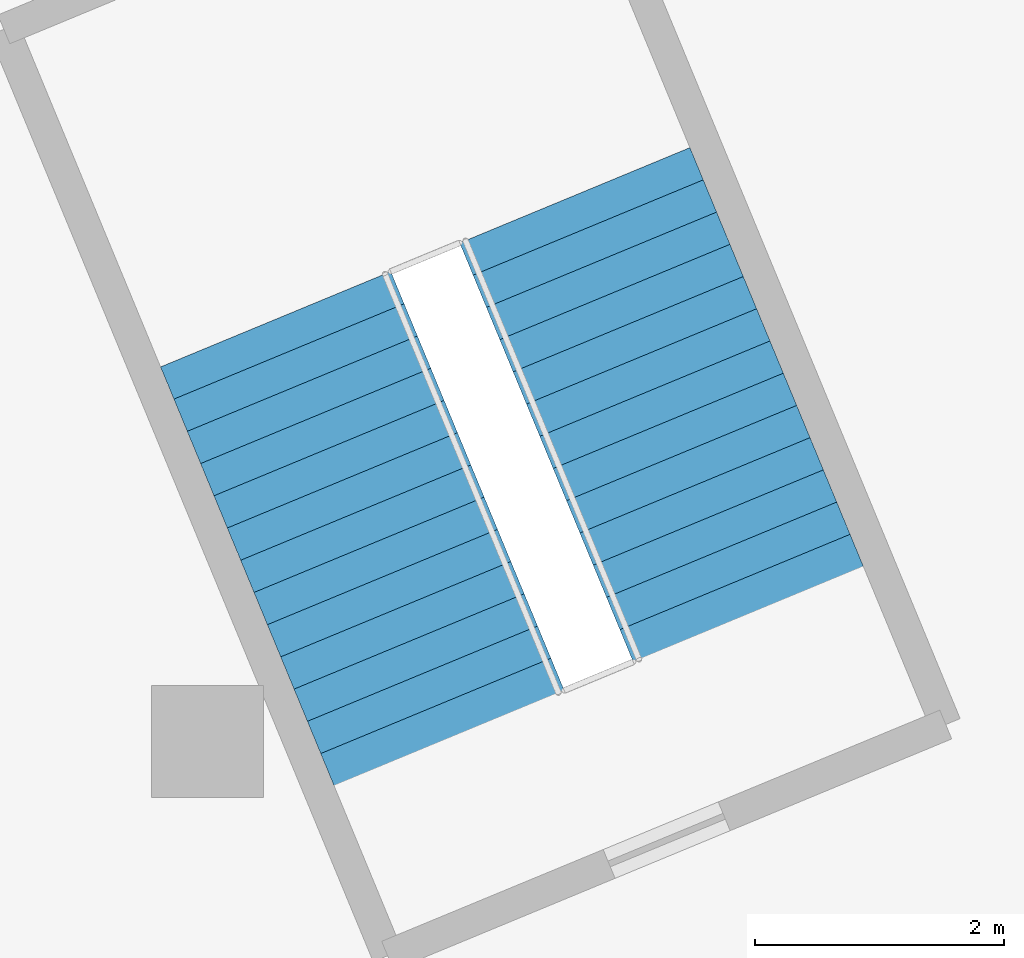
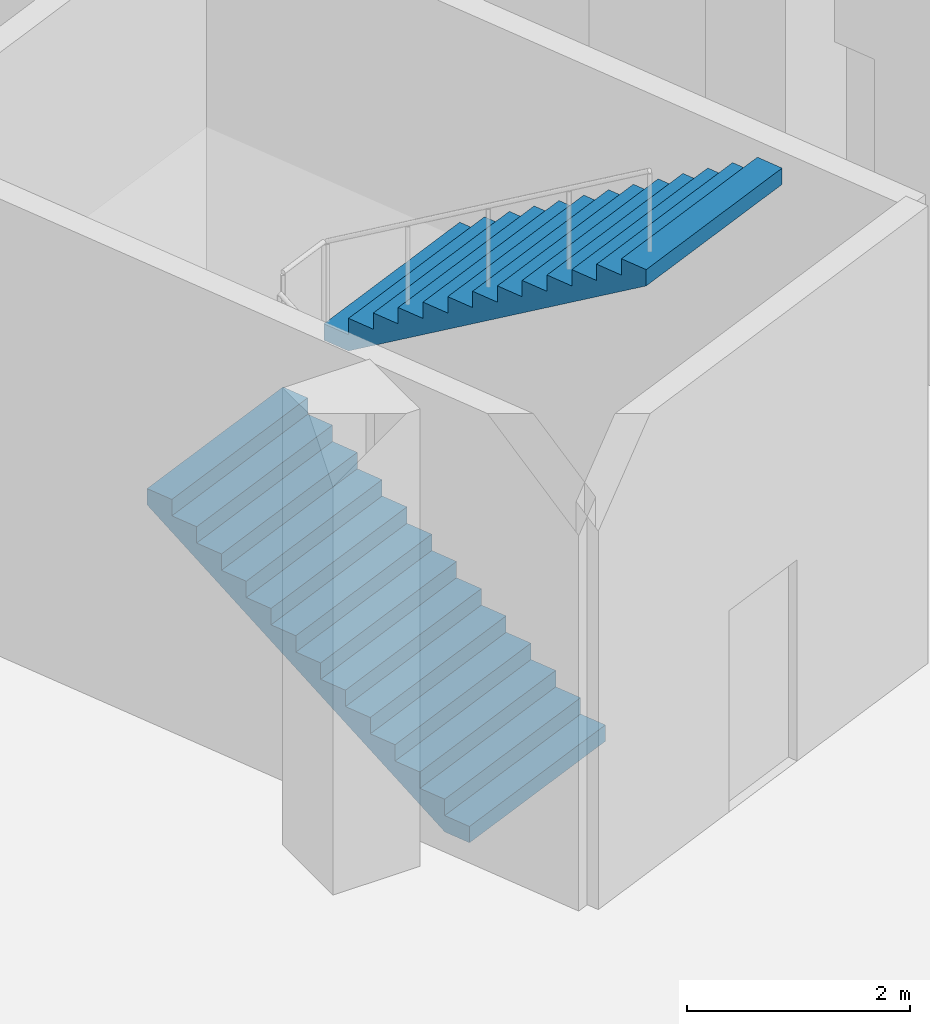
# One storey, part 13 of 17: 2 stair flights, 1 element without a shape of its own.
"""IFC4 building model written with IfcOpenShell, lengths in metres."""

from ifc_helpers import new_model, si_unit, direction, frame, origin, place, context, subcontext, project, spatial, polyline, outline, extrude, material, type_object, element, aggregate, save


model = new_model("IFC4")

# Units and contexts
model_context = context("Model", 3, precision=1e-05, world=origin(), true_north=direction((0.0, 1.0)))
body_context = subcontext(model_context, "Body", "Model", "MODEL_VIEW")
ifc_project = project(units=[si_unit("LENGTHUNIT", "METRE"), si_unit("AREAUNIT", "SQUARE_METRE"), si_unit("VOLUMEUNIT", "CUBIC_METRE"), si_unit("PLANEANGLEUNIT", "RADIAN"), si_unit("MASSUNIT", "GRAM", prefix="KILO")], contexts=[model_context])

# Site, building, storey
site_placement = place(None, origin())
site = spatial("IfcSite", under=ifc_project, at=site_placement, CompositionType="ELEMENT")
building_placement = place(site_placement, origin())
building = spatial("IfcBuilding", under=site, at=building_placement, Name="Golbaran Civic Tower", CompositionType="ELEMENT")
storey_placement = place(building_placement, frame((0.0, 0.0, 6.0)))
storey = spatial("IfcBuildingStorey", under=building, at=storey_placement, Name="L01", CompositionType="ELEMENT", Elevation=6.0)

# Stair, stair flights
ifc_material = material(Name="Concrete C35/45", Category="concrete")
stair_type = type_object("IfcStairType", Name="EXIT STAIR 4600 x 7800, 5000 RISE", PredefinedType="HALF_TURN_STAIR", material=ifc_material)
stair_placement = place(storey_placement, origin())
stair = element("IfcStair", 1, at=stair_placement, inside=storey, type_object=stair_type, Name="Stair P1 L01", PredefinedType="HALF_TURN_STAIR")
stair_flight_type = type_object("IfcStairFlightType", Name="STAIR FLIGHT 2000 WIDE", PredefinedType="STRAIGHT", material=ifc_material)
stair_flight_1_placement = place(storey_placement, frame((27.140869140625, 8.427734375, 0.0), z_axis=(0.0, 0.0, 1.0), x_axis=(-0.382683432365, 0.923879532511, 0.0)))
stair_flight_1 = element("IfcStairFlight", 2, at=stair_flight_1_placement, type_object=stair_flight_type, Name="ST46078-50 flight 1", NumberOfRisers=14, NumberOfTreads=13, PredefinedType="STRAIGHT", RiserHeight=0.178571429, TreadLength=0.28, context=body_context, shape_type="SweptSolid", body=[
    extrude(outline(polyline([(0.0, 0.0), (0.0, 0.178466796875), (0.280029296875, 0.178466796875), (0.280029296875, 0.357177734375), (0.56005859375, 0.357177734375), (0.56005859375, 0.53564453125), (0.840087890625, 0.53564453125), (0.840087890625, 0.71435546875), (1.1201171875, 0.71435546875), (1.1201171875, 0.892822265625), (1.39990234375, 0.892822265625), (1.39990234375, 1.071533203125), (1.679931640625, 1.071533203125), (1.679931640625, 1.25), (1.9599609375, 1.25), (1.9599609375, 1.428466796875), (2.239990234375, 1.428466796875), (2.239990234375, 1.607177734375), (2.52001953125, 1.607177734375), (2.52001953125, 1.78564453125), (2.800048828125, 1.78564453125), (2.800048828125, 1.96435546875), (3.080078125, 1.96435546875), (3.080078125, 2.142822265625), (3.360107421875, 2.142822265625), (3.360107421875, 2.321533203125), (3.639892578125, 2.321533203125), (3.639892578125, 2.5), (3.639892578125, 2.1435546875), (0.27880859375, 0.0), (0.0, 0.0)])), frame((0.0, 1.0, 0.0), z_axis=(0.0, -1.0, 0.0), x_axis=(1.0, 0.0, 0.0)), (0.0, 0.0, 1.0), 2.0),
])
stair_flight_2_placement = place(storey_placement, frame((28.14990234375, 12.78564453125, 2.5), z_axis=(0.0, 0.0, 1.0), x_axis=(0.382683432365, -0.923879532511, 0.0)))
stair_flight_2 = element("IfcStairFlight", 3, at=stair_flight_2_placement, type_object=stair_flight_type, Name="ST46078-50 flight 2", NumberOfRisers=14, NumberOfTreads=13, PredefinedType="STRAIGHT", RiserHeight=0.178571429, TreadLength=0.28, context=body_context, shape_type="SweptSolid", body=[
    extrude(outline(polyline([(0.0, 0.0), (0.0, 0.178466796875), (0.280029296875, 0.178466796875), (0.280029296875, 0.357177734375), (0.56005859375, 0.357177734375), (0.56005859375, 0.53564453125), (0.840087890625, 0.53564453125), (0.840087890625, 0.71435546875), (1.1201171875, 0.71435546875), (1.1201171875, 0.892822265625), (1.39990234375, 0.892822265625), (1.39990234375, 1.071533203125), (1.679931640625, 1.071533203125), (1.679931640625, 1.25), (1.9599609375, 1.25), (1.9599609375, 1.428466796875), (2.239990234375, 1.428466796875), (2.239990234375, 1.607177734375), (2.52001953125, 1.607177734375), (2.52001953125, 1.78564453125), (2.800048828125, 1.78564453125), (2.800048828125, 1.96435546875), (3.080078125, 1.96435546875), (3.080078125, 2.142822265625), (3.360107421875, 2.142822265625), (3.360107421875, 2.321533203125), (3.639892578125, 2.321533203125), (3.639892578125, 2.5), (3.639892578125, 2.1435546875), (0.27880859375, 0.0), (0.0, 0.0)])), frame((0.0, 1.0, 0.0), z_axis=(0.0, -1.0, 0.0), x_axis=(1.0, 0.0, 0.0)), (0.0, 0.0, 1.0), 2.0),
])
aggregate(stair, [stair_flight_1, stair_flight_2])

save(model, "model.ifc")
